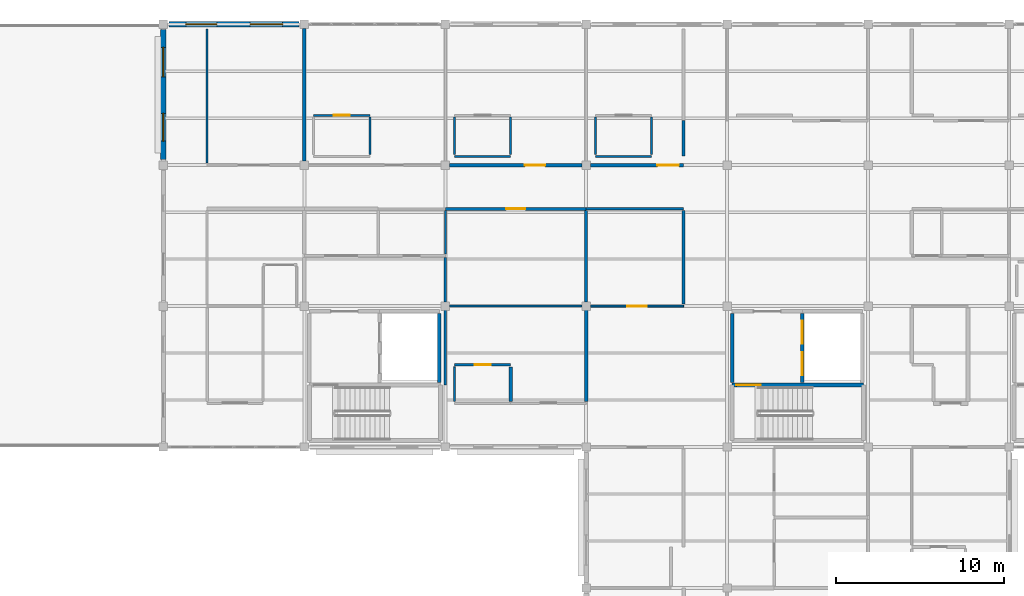
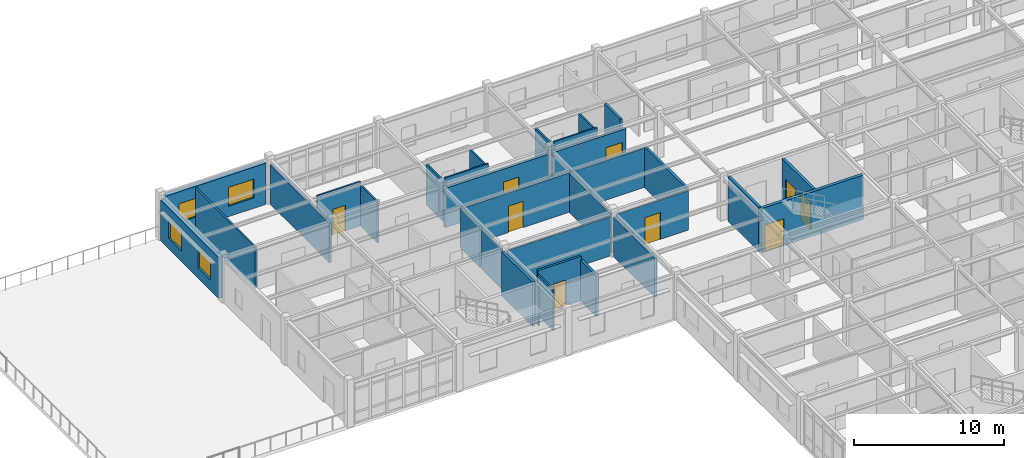
# One storey, part 41 of 53: 32 walls, 9 doors, 4 windows, 13 openings.
"""IFC4 building model written with IfcOpenShell, lengths in metres."""

from ifc_helpers import new_model, si_unit, direction, frame, frame_2d, origin, place, context, subcontext, project, spatial, rectangle, extrude, material, layer, layer_set, type_object, element, fill, save


model = new_model("IFC4")

# Units and contexts
model_context = context("Model", 3, precision=1e-05, world=origin(), true_north=direction((0.0, 1.0)))
body_context = subcontext(model_context, "Body", "Model", "MODEL_VIEW")
ifc_project = project(units=[si_unit("LENGTHUNIT", "METRE"), si_unit("AREAUNIT", "SQUARE_METRE"), si_unit("VOLUMEUNIT", "CUBIC_METRE"), si_unit("PLANEANGLEUNIT", "RADIAN"), si_unit("MASSUNIT", "GRAM", prefix="KILO")], contexts=[model_context])

# Site, building, storey
site_placement = place(None, origin())
site = spatial("IfcSite", under=ifc_project, at=site_placement, CompositionType="ELEMENT")
building_placement = place(site_placement, origin())
building = spatial("IfcBuilding", under=site, at=building_placement, Name="Bramfleet General Hospital", CompositionType="ELEMENT")
storey_placement = place(building_placement, frame((0.0, 0.0, 26.39990234375)))
storey = spatial("IfcBuildingStorey", under=building, at=storey_placement, Name="L06", CompositionType="ELEMENT", Elevation=26.39990234375)

# Wall, openings, windows
ifc_material_1 = material(Name="Precast concrete C40/50", Category="concrete")
ifc_layer_1 = layer(ifc_material_1, 0.3349609375, Name="WT-EW-03")
ifc_layer_set_1 = layer_set([ifc_layer_1], Name="Precast concrete C40/50")
wall_type_1 = type_object("IfcWallType", Name="WT-EW-03", PredefinedType="SOLIDWALL", material=ifc_layer_set_1)
wall_1_placement = place(storey_placement, frame((67.199951171875, 109.52490234375, 0.0), z_axis=(0.0, 0.0, 1.0), x_axis=(0.0, 1.0, 0.0)))
wall_1 = element("IfcWall", 1, at=wall_1_placement, inside=storey, type_object=wall_type_1, Name="L06 Exterior Wall 393", PredefinedType="SOLIDWALL", context=body_context, shape_type="SweptSolid", body=[
    extrude(rectangle(XDim=7.75, YDim=0.3349609375, at=frame_2d((3.875, 0.0))), origin(), (0.0, 0.0, 1.0), 3.340087890625),
])
opening_1_placement = place(wall_1_placement, frame((1.112548828125, 0.0, 0.85009765625)))
opening_1 = element("IfcOpeningElement", 2, at=opening_1_placement, cuts=wall_1, Name="Opening W-27", PredefinedType="OPENING", context=body_context, shape_type="SweptSolid", body=[
    extrude(rectangle(XDim=1.64990234375, YDim=1.5400390625, at=frame_2d((0.824951171875, 0.77001953125))), frame((0.0, 0.177490234375, 0.0), z_axis=(0.0, -1.0, 0.0), x_axis=(1.0, 0.0, 0.0)), (0.0, 0.0, 1.0), 0.35498046875),
])
opening_2_placement = place(wall_1_placement, frame((4.9375, 0.0, 0.85009765625)))
opening_2 = element("IfcOpeningElement", 3, at=opening_2_placement, cuts=wall_1, Name="Opening W-28", PredefinedType="OPENING", context=body_context, shape_type="SweptSolid", body=[
    extrude(rectangle(XDim=1.75, YDim=1.5400390625, at=frame_2d((0.875, 0.77001953125))), frame((0.0, 0.177490234375, 0.0), z_axis=(0.0, -1.0, 0.0), x_axis=(1.0, 0.0, 0.0)), (0.0, 0.0, 1.0), 0.35498046875),
])
ifc_material_2 = material(Name="Anodised aluminium and low-E triple glazing", Category="aluminium")
window_type_1 = type_object("IfcWindowType", Name="WIN-W-27", PartitioningType="SINGLE_PANEL", PredefinedType="WINDOW", material=ifc_material_2)
window_1_placement = place(opening_1_placement, origin())
window_1 = element("IfcWindow", 4, at=window_1_placement, inside=storey, type_object=window_type_1, Name="L06 Facade Window WIN-L06-393-1", OverallHeight=1.5400390625, OverallWidth=1.64990234375, PartitioningType="SINGLE_PANEL", PredefinedType="WINDOW", context=body_context, shape_type="SweptSolid", body=[
    extrude(rectangle(XDim=1.64990234375, YDim=1.5400390625, at=frame_2d((0.824951171875, 0.77001953125))), frame((0.0, 0.030029296875, 0.0), z_axis=(0.0, -1.0, 0.0), x_axis=(1.0, 0.0, 0.0)), (0.0, 0.0, 1.0), 0.06005859375),
])
fill(opening_1, window_1)
window_type_2 = type_object("IfcWindowType", Name="WIN-W-28", PartitioningType="SINGLE_PANEL", PredefinedType="WINDOW", material=ifc_material_2)
window_2_placement = place(opening_2_placement, origin())
window_2 = element("IfcWindow", 5, at=window_2_placement, inside=storey, type_object=window_type_2, Name="L06 Facade Window WIN-L06-393-2", OverallHeight=1.5400390625, OverallWidth=1.75, PartitioningType="SINGLE_PANEL", PredefinedType="WINDOW", context=body_context, shape_type="SweptSolid", body=[
    extrude(rectangle(XDim=1.75, YDim=1.5400390625, at=frame_2d((0.875, 0.77001953125))), frame((0.0, 0.030029296875, 0.0), z_axis=(0.0, -1.0, 0.0), x_axis=(1.0, 0.0, 0.0)), (0.0, 0.0, 1.0), 0.06005859375),
])
fill(opening_2, window_2)

ifc_layer_2 = layer(ifc_material_1, 0.31494140625, Name="WT-EW-04")
ifc_layer_set_2 = layer_set([ifc_layer_2], Name="Precast concrete C40/50")
wall_type_2 = type_object("IfcWallType", Name="WT-EW-04", PredefinedType="SOLIDWALL", material=ifc_layer_set_2)
wall_2_placement = place(storey_placement, frame((67.52490234375, 117.60009765625, 0.0), z_axis=(0.0, 0.0, 1.0), x_axis=(1.0, 0.0, 0.0)))
wall_2 = element("IfcWall", 6, at=wall_2_placement, inside=storey, type_object=wall_type_2, Name="L06 Exterior Wall 394", PredefinedType="SOLIDWALL", context=body_context, shape_type="SweptSolid", body=[
    extrude(rectangle(XDim=7.75, YDim=0.31494140625, at=frame_2d((3.875, 0.0))), origin(), (0.0, 0.0, 1.0), 3.360107421875),
])
opening_3_placement = place(wall_2_placement, frame((1.012451171875, 0.0, 0.85009765625)))
opening_3 = element("IfcOpeningElement", 7, at=opening_3_placement, cuts=wall_2, Name="Opening W-29", PredefinedType="OPENING", context=body_context, shape_type="SweptSolid", body=[
    extrude(rectangle(XDim=1.85009765625, YDim=1.5400390625, at=frame_2d((0.925048828125, 0.77001953125))), frame((0.0, 0.16748046875, 0.0), z_axis=(0.0, -1.0, 0.0), x_axis=(1.0, 0.0, 0.0)), (0.0, 0.0, 1.0), 0.3349609375),
])
opening_4_placement = place(wall_2_placement, frame((4.83740234375, 0.0, 0.85009765625)))
opening_4 = element("IfcOpeningElement", 8, at=opening_4_placement, cuts=wall_2, Name="Opening W-30", PredefinedType="OPENING", context=body_context, shape_type="SweptSolid", body=[
    extrude(rectangle(XDim=1.949951171875, YDim=1.5400390625, at=frame_2d((0.97509765625, 0.77001953125))), frame((0.0, 0.16748046875, 0.0), z_axis=(0.0, -1.0, 0.0), x_axis=(1.0, 0.0, 0.0)), (0.0, 0.0, 1.0), 0.3349609375),
])
window_type_3 = type_object("IfcWindowType", Name="WIN-W-29", PartitioningType="SINGLE_PANEL", PredefinedType="WINDOW", material=ifc_material_2)
window_3_placement = place(opening_3_placement, origin())
window_3 = element("IfcWindow", 9, at=window_3_placement, inside=storey, type_object=window_type_3, Name="L06 Facade Window WIN-L06-394-1", OverallHeight=1.5400390625, OverallWidth=1.85009765625, PartitioningType="SINGLE_PANEL", PredefinedType="WINDOW", context=body_context, shape_type="SweptSolid", body=[
    extrude(rectangle(XDim=1.85009765625, YDim=1.5400390625, at=frame_2d((0.925048828125, 0.77001953125))), frame((0.0, 0.030029296875, 0.0), z_axis=(0.0, -1.0, 0.0), x_axis=(1.0, 0.0, 0.0)), (0.0, 0.0, 1.0), 0.06005859375),
])
fill(opening_3, window_3)
window_type_4 = type_object("IfcWindowType", Name="WIN-W-30", PartitioningType="SINGLE_PANEL", PredefinedType="WINDOW", material=ifc_material_2)
window_4_placement = place(opening_4_placement, origin())
window_4 = element("IfcWindow", 10, at=window_4_placement, inside=storey, type_object=window_type_4, Name="L06 Facade Window WIN-L06-394-2", OverallHeight=1.5400390625, OverallWidth=1.949951171875, PartitioningType="SINGLE_PANEL", PredefinedType="WINDOW", context=body_context, shape_type="SweptSolid", body=[
    extrude(rectangle(XDim=1.949951171875, YDim=1.5400390625, at=frame_2d((0.97509765625, 0.77001953125))), frame((0.0, 0.030029296875, 0.0), z_axis=(0.0, -1.0, 0.0), x_axis=(1.0, 0.0, 0.0)), (0.0, 0.0, 1.0), 0.06005859375),
])
fill(opening_4, window_4)

# Wall, opening, door
ifc_material_3 = material(Name="Concrete C35/45", Category="concrete")
ifc_layer_3 = layer(ifc_material_3, 0.219970703125, Name="WT-IW-01")
ifc_layer_set_3 = layer_set([ifc_layer_3], Name="Concrete C35/45")
wall_type_3 = type_object("IfcWallType", Name="WT-IW-01", PredefinedType="PARTITIONING", material=ifc_layer_set_3)
wall_3_placement = place(storey_placement, frame((84.2451171875, 109.199951171875, 0.0), z_axis=(0.0, 0.0, 1.0), x_axis=(1.0, 0.0, 0.0)))
wall_3 = element("IfcWall", 11, at=wall_3_placement, inside=storey, type_object=wall_type_3, Name="L06 Interior Partition IW-L06-3961", PredefinedType="PARTITIONING", context=body_context, shape_type="SweptSolid", body=[
    extrude(rectangle(XDim=7.909912109375, YDim=0.219970703125, at=frame_2d((3.955078125, 0.0))), origin(), (0.0, 0.0, 1.0), 3.210205078125),
])
opening_5_placement = place(wall_3_placement, frame((4.505615234375, 0.0, 0.0)))
opening_5 = element("IfcOpeningElement", 12, at=opening_5_placement, cuts=wall_3, Name="Opening D1453", PredefinedType="OPENING", context=body_context, shape_type="SweptSolid", body=[
    extrude(rectangle(XDim=1.199951171875, YDim=2.14990234375, at=frame_2d((0.60009765625, 1.074951171875))), frame((0.0, 0.119873046875, 0.0), z_axis=(0.0, -1.0, 0.0), x_axis=(1.0, 0.0, 0.0)), (0.0, 0.0, 1.0), 0.239990234375),
])
ifc_material_4 = material(Name="Stainless steel and acoustic timber leaf", Category="steel")
door_type_1 = type_object("IfcDoorType", Name="DR-D-13", OperationType="NOTDEFINED", PredefinedType="DOOR", material=ifc_material_4)
door_1_placement = place(opening_5_placement, origin())
door_1 = element("IfcDoor", 13, at=door_1_placement, inside=storey, type_object=door_type_1, Name="Oncology and Neurology Ward Bedroom L06-1013 Door D1453", OperationType="SINGLE_SWING_RIGHT", OverallHeight=2.14990234375, OverallWidth=1.199951171875, PredefinedType="DOOR", context=body_context, shape_type="SweptSolid", body=[
    extrude(rectangle(XDim=1.199951171875, YDim=2.14990234375, at=frame_2d((0.60009765625, 1.074951171875))), frame((0.0, 0.02490234375, 0.0), z_axis=(0.0, -1.0, 0.0), x_axis=(1.0, 0.0, 0.0)), (0.0, 0.0, 1.0), 0.050048828125),
])
fill(opening_5, door_1)

# Wall
wall_4_placement = place(storey_placement, frame((87.89990234375, 95.114990234375, 0.0), z_axis=(0.0, 0.0, 1.0), x_axis=(0.0, 1.0, 0.0)))
element("IfcWall", 14, at=wall_4_placement, inside=storey, type_object=wall_type_3, Name="L06 Interior Partition IW-L06-3997", PredefinedType="PARTITIONING", context=body_context, shape_type="SweptSolid", body=[
    extrude(rectangle(XDim=2.070068359375, YDim=0.219970703125, at=frame_2d((1.03515625, 0.0))), origin(), (0.0, 0.0, 1.0), 3.340087890625),
])

# Wall, openings, doors
ifc_layer_4 = layer(ifc_material_3, 0.205078125, Name="WT-IW-02")
ifc_layer_set_4 = layer_set([ifc_layer_4], Name="Concrete C35/45")
wall_type_4 = type_object("IfcWallType", Name="WT-IW-02", PredefinedType="PARTITIONING", material=ifc_layer_set_4)
wall_5_placement = place(storey_placement, frame((105.280029296875, 96.239990234375, 0.0), z_axis=(0.0, 0.0, 1.0), x_axis=(0.0, 1.0, 0.0)))
wall_5 = element("IfcWall", 15, at=wall_5_placement, inside=storey, type_object=wall_type_4, Name="L06 C4 Lobby East Shaft Wall", PredefinedType="PARTITIONING", context=body_context, shape_type="SweptSolid", body=[
    extrude(rectangle(XDim=4.1201171875, YDim=0.205078125, at=frame_2d((2.06005859375, 0.0))), origin(), (0.0, 0.0, 1.0), 3.610107421875),
])
opening_6_placement = place(wall_5_placement, frame((0.445068359375, 0.0, 0.0)))
opening_6 = element("IfcOpeningElement", 16, at=opening_6_placement, cuts=wall_5, Name="Opening LD-FL-02-L06", PredefinedType="OPENING", context=body_context, shape_type="SweptSolid", body=[
    extrude(rectangle(XDim=1.35009765625, YDim=2.199951171875, at=frame_2d((0.675048828125, 1.10009765625))), frame((0.0, 0.112548828125, 0.0), z_axis=(0.0, -1.0, 0.0), x_axis=(1.0, 0.0, 0.0)), (0.0, 0.0, 1.0), 0.22509765625),
])
opening_7_placement = place(wall_5_placement, frame((2.324951171875, 0.0, 0.0)))
opening_7 = element("IfcOpeningElement", 17, at=opening_7_placement, cuts=wall_5, Name="Opening LD-BL-04-L06", PredefinedType="OPENING", context=body_context, shape_type="SweptSolid", body=[
    extrude(rectangle(XDim=1.35009765625, YDim=2.199951171875, at=frame_2d((0.675048828125, 1.10009765625))), frame((0.0, 0.112548828125, 0.0), z_axis=(0.0, -1.0, 0.0), x_axis=(1.0, 0.0, 0.0)), (0.0, 0.0, 1.0), 0.22509765625),
])
ifc_material_5 = material(Name="Brushed stainless steel 1.4301", Category="steel")
door_type_2 = type_object("IfcDoorType", Name="DR-LD-01", OperationType="NOTDEFINED", PredefinedType="DOOR", material=ifc_material_5)
door_2_placement = place(opening_6_placement, origin())
door_2 = element("IfcDoor", 18, at=door_2_placement, inside=storey, type_object=door_type_2, Name="L06 Lift FL-02 Sliding Landing Door", OperationType="SLIDING_TO_LEFT", OverallHeight=2.199951171875, OverallWidth=1.35009765625, PredefinedType="DOOR", context=body_context, shape_type="SweptSolid", body=[
    extrude(rectangle(XDim=1.35009765625, YDim=2.199951171875, at=frame_2d((0.675048828125, 1.10009765625))), frame((0.0, 0.02490234375, 0.0), z_axis=(0.0, -1.0, 0.0), x_axis=(1.0, 0.0, 0.0)), (0.0, 0.0, 1.0), 0.050048828125),
])
fill(opening_6, door_2)
door_3_placement = place(opening_7_placement, origin())
door_3 = element("IfcDoor", 19, at=door_3_placement, inside=storey, type_object=door_type_2, Name="L06 Lift BL-04 Sliding Landing Door", OperationType="SLIDING_TO_LEFT", OverallHeight=2.199951171875, OverallWidth=1.35009765625, PredefinedType="DOOR", context=body_context, shape_type="SweptSolid", body=[
    extrude(rectangle(XDim=1.35009765625, YDim=2.199951171875, at=frame_2d((0.675048828125, 1.10009765625))), frame((0.0, 0.02490234375, 0.0), z_axis=(0.0, -1.0, 0.0), x_axis=(1.0, 0.0, 0.0)), (0.0, 0.0, 1.0), 0.050048828125),
])
fill(opening_7, door_3)

# Walls
for number, where, z_axis, x_axis, name in (
    (20, (101.10009765625, 96.239990234375, 0.0), (0.0, 0.0, 1.0), (0.0, 1.0, 0.0), "L06 C4 Lobby West Compartment Wall"),
    (21, (83.64990234375, 96.239990234375, 0.0), (0.0, 0.0, 1.0), (0.0, 1.0, 0.0), "L06 C5 Lift Shaft East Wall"),
):
    element("IfcWall", number, at=place(storey_placement, frame(where, z_axis=z_axis, x_axis=x_axis)), inside=storey, type_object=wall_type_4, Name=name, PredefinedType="PARTITIONING", context=body_context, shape_type="SweptSolid", body=[
        extrude(rectangle(XDim=4.1201171875, YDim=0.205078125, at=frame_2d((2.06005859375, 0.0))), origin(), (0.0, 0.0, 1.0), 3.610107421875),
    ])

# Wall, opening, door
wall_6_placement = place(storey_placement, frame((92.64501953125, 109.199951171875, 0.0), z_axis=(0.0, 0.0, 1.0), x_axis=(1.0, 0.0, 0.0)))
wall_6 = element("IfcWall", 22, at=wall_6_placement, inside=storey, type_object=wall_type_4, Name="L06 Interior Partition IW-L06-3962", PredefinedType="PARTITIONING", context=body_context, shape_type="SweptSolid", body=[
    extrude(rectangle(XDim=5.554931640625, YDim=0.205078125, at=frame_2d((2.77734375, 0.0))), origin(), (0.0, 0.0, 1.0), 3.210205078125),
])
opening_8_placement = place(wall_6_placement, frame((3.997802734375, 0.0, 0.0)))
opening_8 = element("IfcOpeningElement", 23, at=opening_8_placement, cuts=wall_6, Name="Opening D1469", PredefinedType="OPENING", context=body_context, shape_type="SweptSolid", body=[
    extrude(rectangle(XDim=1.280029296875, YDim=2.179931640625, at=frame_2d((0.64013671875, 1.08984375))), frame((0.0, 0.112548828125, 0.0), z_axis=(0.0, -1.0, 0.0), x_axis=(1.0, 0.0, 0.0)), (0.0, 0.0, 1.0), 0.22509765625),
])
door_type_3 = type_object("IfcDoorType", Name="DR-D-29", OperationType="NOTDEFINED", PredefinedType="DOOR", material=ifc_material_4)
door_4_placement = place(opening_8_placement, origin())
door_4 = element("IfcDoor", 24, at=door_4_placement, inside=storey, type_object=door_type_3, Name="Oncology and Neurology Ward Bedroom L06-1113 Door D1469", OperationType="SINGLE_SWING_RIGHT", OverallHeight=2.179931640625, OverallWidth=1.280029296875, PredefinedType="DOOR", context=body_context, shape_type="SweptSolid", body=[
    extrude(rectangle(XDim=1.280029296875, YDim=2.179931640625, at=frame_2d((0.64013671875, 1.08984375))), frame((0.0, 0.02490234375, 0.0), z_axis=(0.0, -1.0, 0.0), x_axis=(1.0, 0.0, 0.0)), (0.0, 0.0, 1.0), 0.050048828125),
])
fill(opening_8, door_4)

# Walls
ifc_layer_5 = layer(ifc_material_3, 0.18994140625, Name="WT-IW-03")
ifc_layer_set_5 = layer_set([ifc_layer_5], Name="Concrete C35/45")
wall_type_5 = type_object("IfcWallType", Name="WT-IW-03", PredefinedType="PARTITIONING", material=ifc_layer_set_5)
wall_7_placement = place(storey_placement, frame((75.60009765625, 109.445068359375, 0.0), z_axis=(0.0, 0.0, 1.0), x_axis=(0.0, 1.0, 0.0)))
element("IfcWall", 25, at=wall_7_placement, inside=storey, type_object=wall_type_5, Name="L06 Interior Partition IW-L06-3987", PredefinedType="PARTITIONING", context=body_context, shape_type="SweptSolid", body=[
    extrude(rectangle(XDim=7.909912109375, YDim=0.18994140625, at=frame_2d((3.955078125, 0.0))), origin(), (0.0, 0.0, 1.0), 3.210205078125),
])
wall_8_placement = place(storey_placement, frame((92.39990234375, 95.114990234375, 0.0), z_axis=(0.0, 0.0, 1.0), x_axis=(0.0, 1.0, 0.0)))
element("IfcWall", 26, at=wall_8_placement, inside=storey, type_object=wall_type_5, Name="L06 Interior Partition IW-L06-3999", PredefinedType="PARTITIONING", context=body_context, shape_type="SweptSolid", body=[
    extrude(rectangle(XDim=5.43994140625, YDim=0.18994140625, at=frame_2d((2.719970703125, 0.0))), origin(), (0.0, 0.0, 1.0), 3.210205078125),
])

# Wall, opening, door
ifc_layer_6 = layer(ifc_material_3, 0.179931640625, Name="WT-IW-04")
ifc_layer_set_6 = layer_set([ifc_layer_6], Name="Concrete C35/45")
wall_type_6 = type_object("IfcWallType", Name="WT-IW-04", PredefinedType="PARTITIONING", material=ifc_layer_set_6)
wall_9_placement = place(storey_placement, frame((84.0, 106.60009765625, 0.0), z_axis=(0.0, 0.0, 1.0), x_axis=(1.0, 0.0, 0.0)))
wall_9 = element("IfcWall", 27, at=wall_9_placement, inside=storey, type_object=wall_type_6, Name="L06 Interior Partition IW-L06-3952", PredefinedType="PARTITIONING", context=body_context, shape_type="SweptSolid", body=[
    extrude(rectangle(XDim=8.39990234375, YDim=0.179931640625, at=frame_2d((4.199951171875, 0.0))), origin(), (0.0, 0.0, 1.0), 3.210205078125),
])
opening_9_placement = place(wall_9_placement, frame((3.625, 0.0, 0.0)))
opening_9 = element("IfcOpeningElement", 28, at=opening_9_placement, cuts=wall_9, Name="Opening D1452", PredefinedType="OPENING", context=body_context, shape_type="SweptSolid", body=[
    extrude(rectangle(XDim=1.14990234375, YDim=2.14990234375, at=frame_2d((0.574951171875, 1.074951171875))), frame((0.0, 0.099853515625, 0.0), z_axis=(0.0, -1.0, 0.0), x_axis=(1.0, 0.0, 0.0)), (0.0, 0.0, 1.0), 0.199951171875),
])
door_type_4 = type_object("IfcDoorType", Name="DR-D-12", OperationType="NOTDEFINED", PredefinedType="DOOR", material=ifc_material_4)
door_5_placement = place(opening_9_placement, origin())
door_5 = element("IfcDoor", 29, at=door_5_placement, inside=storey, type_object=door_type_4, Name="Patient Dayroom and Garden Lounge L06-1012 Door D1452", OperationType="SINGLE_SWING_LEFT", OverallHeight=2.14990234375, OverallWidth=1.14990234375, PredefinedType="DOOR", context=body_context, shape_type="SweptSolid", body=[
    extrude(rectangle(XDim=1.14990234375, YDim=2.14990234375, at=frame_2d((0.574951171875, 1.074951171875))), frame((0.0, 0.02490234375, 0.0), z_axis=(0.0, -1.0, 0.0), x_axis=(1.0, 0.0, 0.0)), (0.0, 0.0, 1.0), 0.050048828125),
])
fill(opening_9, door_5)

# Walls
wall_10_placement = place(storey_placement, frame((92.39990234375, 101.044921875, 0.0), z_axis=(0.0, 0.0, 1.0), x_axis=(0.0, 1.0, 0.0)))
element("IfcWall", 30, at=wall_10_placement, inside=storey, type_object=wall_type_6, Name="L06 Interior Partition IW-L06-4000", PredefinedType="PARTITIONING", context=body_context, shape_type="SweptSolid", body=[
    extrude(rectangle(XDim=5.440185546875, YDim=0.179931640625, at=frame_2d((2.72021484375, 0.0))), origin(), (0.0, 0.0, 1.0), 3.210205078125),
])
wall_11_placement = place(storey_placement, frame((98.199951171875, 100.9150390625, 0.0), z_axis=(0.0, 0.0, 1.0), x_axis=(0.0, 1.0, 0.0)))
element("IfcWall", 31, at=wall_11_placement, inside=storey, type_object=wall_type_6, Name="L06 Interior Partition IW-L06-4024", PredefinedType="PARTITIONING", context=body_context, shape_type="SweptSolid", body=[
    extrude(rectangle(XDim=5.570068359375, YDim=0.179931640625, at=frame_2d((2.78515625, 0.0))), origin(), (0.0, 0.0, 1.0), 3.340087890625),
])

# Wall, opening, door
ifc_material_6 = material(Name="Gypsum plasterboard on acoustic steel studs", Category="steel")
ifc_layer_7 = layer(ifc_material_6, 0.169921875, Name="WT-IW-05")
ifc_layer_set_7 = layer_set([ifc_layer_7], Name="Gypsum plasterboard on acoustic steel studs")
wall_type_7 = type_object("IfcWallType", Name="WT-IW-05", PredefinedType="PARTITIONING", material=ifc_layer_set_7)
wall_12_placement = place(storey_placement, frame((84.550048828125, 97.300048828125, 0.0), z_axis=(0.0, 0.0, 1.0), x_axis=(1.0, 0.0, 0.0)))
wall_12 = element("IfcWall", 32, at=wall_12_placement, inside=storey, type_object=wall_type_7, Name="L06 Interior Partition IW-L06-3929", PredefinedType="PARTITIONING", context=body_context, shape_type="SweptSolid", body=[
    extrude(rectangle(XDim=3.349853515625, YDim=0.169921875, at=frame_2d((1.6748046875, 0.0))), origin(), (0.0, 0.0, 1.0), 3.610107421875),
])
opening_10_placement = place(wall_12_placement, frame((1.199951171875, 0.0, 0.0)))
opening_10 = element("IfcOpeningElement", 33, at=opening_10_placement, cuts=wall_12, Name="Opening D1451", PredefinedType="OPENING", context=body_context, shape_type="SweptSolid", body=[
    extrude(rectangle(XDim=0.949951171875, YDim=2.10009765625, at=frame_2d((0.47509765625, 1.050048828125))), frame((0.0, 0.094970703125, 0.0), z_axis=(0.0, -1.0, 0.0), x_axis=(1.0, 0.0, 0.0)), (0.0, 0.0, 1.0), 0.18994140625),
])
door_type_5 = type_object("IfcDoorType", Name="DR-D-10", OperationType="NOTDEFINED", PredefinedType="DOOR", material=ifc_material_4)
door_6_placement = place(opening_10_placement, origin())
door_6 = element("IfcDoor", 34, at=door_6_placement, inside=storey, type_object=door_type_5, Name="En-Suite Bathroom L06-1011 Door D1451", OperationType="SINGLE_SWING_LEFT", OverallHeight=2.10009765625, OverallWidth=0.949951171875, PredefinedType="DOOR", context=body_context, shape_type="SweptSolid", body=[
    extrude(rectangle(XDim=0.949951171875, YDim=2.10009765625, at=frame_2d((0.47509765625, 1.050048828125))), frame((0.0, 0.02490234375, 0.0), z_axis=(0.0, -1.0, 0.0), x_axis=(1.0, 0.0, 0.0)), (0.0, 0.0, 1.0), 0.050048828125),
])
fill(opening_10, door_6)

# Walls
wall_13_placement = place(storey_placement, frame((92.39990234375, 106.60009765625, 0.0), z_axis=(0.0, 0.0, 1.0), x_axis=(1.0, 0.0, 0.0)))
element("IfcWall", 35, at=wall_13_placement, inside=storey, type_object=wall_type_7, Name="L06 Interior Partition IW-L06-3953", PredefinedType="PARTITIONING", context=body_context, shape_type="SweptSolid", body=[
    extrude(rectangle(XDim=5.800048828125, YDim=0.169921875, at=frame_2d((2.89990234375, 0.0))), origin(), (0.0, 0.0, 1.0), 3.210205078125),
])
wall_14_placement = place(storey_placement, frame((98.199951171875, 109.75, 0.0), z_axis=(0.0, 0.0, 1.0), x_axis=(0.0, 1.0, 0.0)))
element("IfcWall", 36, at=wall_14_placement, inside=storey, type_object=wall_type_7, Name="L06 Interior Partition IW-L06-4025", PredefinedType="PARTITIONING", context=body_context, shape_type="SweptSolid", body=[
    extrude(rectangle(XDim=2.10009765625, YDim=0.169921875, at=frame_2d((1.050048828125, 0.0))), origin(), (0.0, 0.0, 1.0), 3.610107421875),
])
ifc_layer_8 = layer(ifc_material_6, 0.14990234375, Name="WT-IW-07")
ifc_layer_set_8 = layer_set([ifc_layer_8], Name="Gypsum plasterboard on acoustic steel studs")
wall_type_8 = type_object("IfcWallType", Name="WT-IW-07", PredefinedType="PARTITIONING", material=ifc_layer_set_8)
wall_15_placement = place(storey_placement, frame((84.0, 96.10009765625, 0.0), z_axis=(0.0, 0.0, 1.0), x_axis=(0.0, 1.0, 0.0)))
element("IfcWall", 37, at=wall_15_placement, inside=storey, type_object=wall_type_8, Name="L06 Interior Partition IW-L06-3991", PredefinedType="PARTITIONING", context=body_context, shape_type="SweptSolid", body=[
    extrude(rectangle(XDim=4.454833984375, YDim=0.14990234375, at=frame_2d((2.2275390625, 0.0))), origin(), (0.0, 0.0, 1.0), 3.210205078125),
])
ifc_layer_9 = layer(ifc_material_6, 0.139892578125, Name="WT-IW-08")
ifc_layer_set_9 = layer_set([ifc_layer_9], Name="Gypsum plasterboard on acoustic steel studs")
wall_type_9 = type_object("IfcWallType", Name="WT-IW-08", PredefinedType="PARTITIONING", material=ifc_layer_set_9)
wall_16_placement = place(storey_placement, frame((84.0, 101.044921875, 0.0), z_axis=(0.0, 0.0, 1.0), x_axis=(0.0, 1.0, 0.0)))
element("IfcWall", 38, at=wall_16_placement, inside=storey, type_object=wall_type_9, Name="L06 Interior Partition IW-L06-3992", PredefinedType="PARTITIONING", context=body_context, shape_type="SweptSolid", body=[
    extrude(rectangle(XDim=2.64013671875, YDim=0.139892578125, at=frame_2d((1.320068359375, 0.0))), origin(), (0.0, 0.0, 1.0), 3.210205078125),
])
ifc_layer_10 = layer(ifc_material_6, 0.1298828125, Name="WT-IW-09")
ifc_layer_set_10 = layer_set([ifc_layer_10], Name="Gypsum plasterboard on acoustic steel studs")
wall_type_10 = type_object("IfcWallType", Name="WT-IW-09", PredefinedType="PARTITIONING", material=ifc_layer_set_10)
wall_17_placement = place(storey_placement, frame((69.800048828125, 109.31494140625, 0.0), z_axis=(0.0, 0.0, 1.0), x_axis=(0.0, 1.0, 0.0)))
element("IfcWall", 39, at=wall_17_placement, inside=storey, type_object=wall_type_10, Name="L06 Interior Partition IW-L06-3981", PredefinedType="PARTITIONING", context=body_context, shape_type="SweptSolid", body=[
    extrude(rectangle(XDim=8.005126953125, YDim=0.1298828125, at=frame_2d((4.00244140625, 0.0))), origin(), (0.0, 0.0, 1.0), 3.340087890625),
])
ifc_layer_11 = layer(ifc_material_6, 0.1201171875, Name="WT-IW-10")
ifc_layer_set_11 = layer_set([ifc_layer_11], Name="Gypsum plasterboard on acoustic steel studs")
wall_type_11 = type_object("IfcWallType", Name="WT-IW-10", PredefinedType="PARTITIONING", material=ifc_layer_set_11)
wall_18_placement = place(storey_placement, frame((84.2451171875, 100.800048828125, 0.0), z_axis=(0.0, 0.0, 1.0), x_axis=(1.0, 0.0, 0.0)))
element("IfcWall", 40, at=wall_18_placement, inside=storey, type_object=wall_type_11, Name="L06 Interior Partition IW-L06-3934", PredefinedType="PARTITIONING", context=body_context, shape_type="SweptSolid", body=[
    extrude(rectangle(XDim=7.909912109375, YDim=0.1201171875, at=frame_2d((3.955078125, 0.0))), origin(), (0.0, 0.0, 1.0), 3.210205078125),
])
wall_19_placement = place(storey_placement, frame((84.550048828125, 109.719970703125, 0.0), z_axis=(0.0, 0.0, 1.0), x_axis=(1.0, 0.0, 0.0)))
element("IfcWall", 41, at=wall_19_placement, inside=storey, type_object=wall_type_11, Name="L06 Interior Partition IW-L06-3964", PredefinedType="PARTITIONING", context=body_context, shape_type="SweptSolid", body=[
    extrude(rectangle(XDim=3.349853515625, YDim=0.1201171875, at=frame_2d((1.6748046875, 0.0))), origin(), (0.0, 0.0, 1.0), 3.610107421875),
])
wall_20_placement = place(storey_placement, frame((92.949951171875, 109.719970703125, 0.0), z_axis=(0.0, 0.0, 1.0), x_axis=(1.0, 0.0, 0.0)))
element("IfcWall", 42, at=wall_20_placement, inside=storey, type_object=wall_type_11, Name="L06 Interior Partition IW-L06-3965", PredefinedType="PARTITIONING", context=body_context, shape_type="SweptSolid", body=[
    extrude(rectangle(XDim=3.35009765625, YDim=0.1201171875, at=frame_2d((1.675048828125, 0.0))), origin(), (0.0, 0.0, 1.0), 3.610107421875),
])

# Wall, opening, door
wall_21_placement = place(storey_placement, frame((76.14990234375, 112.169921875, 0.0), z_axis=(0.0, 0.0, 1.0), x_axis=(1.0, 0.0, 0.0)))
wall_21 = element("IfcWall", 43, at=wall_21_placement, inside=storey, type_object=wall_type_11, Name="L06 Interior Partition IW-L06-3973", PredefinedType="PARTITIONING", context=body_context, shape_type="SweptSolid", body=[
    extrude(rectangle(XDim=3.35009765625, YDim=0.1201171875, at=frame_2d((1.675048828125, 0.0))), origin(), (0.0, 0.0, 1.0), 3.610107421875),
])
opening_11_placement = place(wall_21_placement, frame((1.199951171875, 0.0, 0.0)))
opening_11 = element("IfcOpeningElement", 44, at=opening_11_placement, cuts=wall_21, Name="Opening D1449", PredefinedType="OPENING", context=body_context, shape_type="SweptSolid", body=[
    extrude(rectangle(XDim=0.949951171875, YDim=2.10009765625, at=frame_2d((0.47509765625, 1.050048828125))), frame((0.0, 0.070068359375, 0.0), z_axis=(0.0, -1.0, 0.0), x_axis=(1.0, 0.0, 0.0)), (0.0, 0.0, 1.0), 0.14013671875),
])
door_7_placement = place(opening_11_placement, origin())
door_7 = element("IfcDoor", 45, at=door_7_placement, inside=storey, type_object=door_type_5, Name="En-Suite Bathroom L06-0913 Door D1449", OperationType="SINGLE_SWING_LEFT", OverallHeight=2.10009765625, OverallWidth=0.949951171875, PredefinedType="DOOR", context=body_context, shape_type="SweptSolid", body=[
    extrude(rectangle(XDim=0.949951171875, YDim=2.10009765625, at=frame_2d((0.47509765625, 1.050048828125))), frame((0.0, 0.02490234375, 0.0), z_axis=(0.0, -1.0, 0.0), x_axis=(1.0, 0.0, 0.0)), (0.0, 0.0, 1.0), 0.050048828125),
])
fill(opening_11, door_7)

# Walls
wall_22_placement = place(storey_placement, frame((79.5, 109.8349609375, 0.0), z_axis=(0.0, 0.0, 1.0), x_axis=(0.0, 1.0, 0.0)))
element("IfcWall", 46, at=wall_22_placement, inside=storey, type_object=wall_type_11, Name="L06 Interior Partition IW-L06-3989", PredefinedType="PARTITIONING", context=body_context, shape_type="SweptSolid", body=[
    extrude(rectangle(XDim=2.219970703125, YDim=0.1201171875, at=frame_2d((1.10986328125, 0.0))), origin(), (0.0, 0.0, 1.0), 3.340087890625),
])
wall_23_placement = place(storey_placement, frame((84.0, 103.9150390625, 0.0), z_axis=(0.0, 0.0, 1.0), x_axis=(0.0, 1.0, 0.0)))
element("IfcWall", 47, at=wall_23_placement, inside=storey, type_object=wall_type_11, Name="L06 Interior Partition IW-L06-3993", PredefinedType="PARTITIONING", context=body_context, shape_type="SweptSolid", body=[
    extrude(rectangle(XDim=2.570068359375, YDim=0.1201171875, at=frame_2d((1.28515625, 0.0))), origin(), (0.0, 0.0, 1.0), 3.210205078125),
])
for number, where, z_axis, x_axis, name in (
    (48, (84.550048828125, 109.8349609375, 0.0), (0.0, 0.0, 1.0), (0.0, 1.0, 0.0), "L06 Interior Partition IW-L06-3996"),
    (49, (87.89990234375, 109.8349609375, 0.0), (0.0, 0.0, 1.0), (0.0, 1.0, 0.0), "L06 Interior Partition IW-L06-3998"),
    (50, (92.949951171875, 109.8349609375, 0.0), (0.0, 0.0, 1.0), (0.0, 1.0, 0.0), "L06 Interior Partition IW-L06-4004"),
    (51, (96.300048828125, 109.8349609375, 0.0), (0.0, 0.0, 1.0), (0.0, 1.0, 0.0), "L06 Interior Partition IW-L06-4007"),
):
    element("IfcWall", number, at=place(storey_placement, frame(where, z_axis=z_axis, x_axis=x_axis)), inside=storey, type_object=wall_type_11, Name=name, PredefinedType="PARTITIONING", context=body_context, shape_type="SweptSolid", body=[
        extrude(rectangle(XDim=2.219970703125, YDim=0.1201171875, at=frame_2d((1.10986328125, 0.0))), origin(), (0.0, 0.0, 1.0), 3.340087890625),
    ])

# Wall, opening, door
ifc_layer_12 = layer(ifc_material_6, 0.112060546875, Name="WT-IW-11")
ifc_layer_set_12 = layer_set([ifc_layer_12], Name="Gypsum plasterboard on acoustic steel studs")
wall_type_12 = type_object("IfcWallType", Name="WT-IW-11", PredefinedType="PARTITIONING", material=ifc_layer_set_12)
wall_24_placement = place(storey_placement, frame((92.64501953125, 100.800048828125, 0.0), z_axis=(0.0, 0.0, 1.0), x_axis=(1.0, 0.0, 0.0)))
wall_24 = element("IfcWall", 52, at=wall_24_placement, inside=storey, type_object=wall_type_12, Name="L06 Interior Partition IW-L06-3935", PredefinedType="PARTITIONING", context=body_context, shape_type="SweptSolid", body=[
    extrude(rectangle(XDim=5.554931640625, YDim=0.112060546875, at=frame_2d((2.77734375, 0.0))), origin(), (0.0, 0.0, 1.0), 3.210205078125),
])
opening_12_placement = place(wall_24_placement, frame((2.1875, 0.0, 0.0)))
opening_12 = element("IfcOpeningElement", 53, at=opening_12_placement, cuts=wall_24, Name="Opening D1468", PredefinedType="OPENING", context=body_context, shape_type="SweptSolid", body=[
    extrude(rectangle(XDim=1.179931640625, YDim=2.179931640625, at=frame_2d((0.58984375, 1.08984375))), frame((0.0, 0.06591796875, 0.0), z_axis=(0.0, -1.0, 0.0), x_axis=(1.0, 0.0, 0.0)), (0.0, 0.0, 1.0), 0.132080078125),
])
door_type_6 = type_object("IfcDoorType", Name="DR-D-28", OperationType="NOTDEFINED", PredefinedType="DOOR", material=ifc_material_4)
door_8_placement = place(opening_12_placement, origin())
door_8 = element("IfcDoor", 54, at=door_8_placement, inside=storey, type_object=door_type_6, Name="Ward Linen and Clean Utility L06-1112 Door D1468", OperationType="SINGLE_SWING_LEFT", OverallHeight=2.179931640625, OverallWidth=1.179931640625, PredefinedType="DOOR", context=body_context, shape_type="SweptSolid", body=[
    extrude(rectangle(XDim=1.179931640625, YDim=2.179931640625, at=frame_2d((0.58984375, 1.08984375))), frame((0.0, 0.02490234375, 0.0), z_axis=(0.0, -1.0, 0.0), x_axis=(1.0, 0.0, 0.0)), (0.0, 0.0, 1.0), 0.050048828125),
])
fill(opening_12, door_8)

# Wall
wall_25_placement = place(storey_placement, frame((84.550048828125, 95.114990234375, 0.0), z_axis=(0.0, 0.0, 1.0), x_axis=(0.0, 1.0, 0.0)))
element("IfcWall", 55, at=wall_25_placement, inside=storey, type_object=wall_type_12, Name="L06 Interior Partition IW-L06-3995", PredefinedType="PARTITIONING", context=body_context, shape_type="SweptSolid", body=[
    extrude(rectangle(XDim=2.070068359375, YDim=0.112060546875, at=frame_2d((1.03515625, 0.0))), origin(), (0.0, 0.0, 1.0), 3.340087890625),
])

# Wall, opening, door
ifc_material_7 = material(Name="Concrete C40/50", Category="concrete")
ifc_layer_13 = layer(ifc_material_7, 0.239990234375, Name="WT-SW-240")
ifc_layer_set_13 = layer_set([ifc_layer_13], Name="Concrete C40/50")
wall_type_13 = type_object("IfcWallType", Name="WT-SW-240", PredefinedType="SHEAR", material=ifc_layer_set_13)
wall_26_placement = place(storey_placement, frame((101.10009765625, 96.10009765625, 0.0), z_axis=(0.0, 0.0, 1.0), x_axis=(1.0, 0.0, 0.0)))
wall_26 = element("IfcWall", 56, at=wall_26_placement, inside=storey, type_object=wall_type_13, Name="L06 C4 Stair-Lobby Shear Wall", PredefinedType="SHEAR", context=body_context, shape_type="SweptSolid", body=[
    extrude(rectangle(XDim=7.81982421875, YDim=0.239990234375, at=frame_2d((3.909912109375, 0.0))), origin(), (0.0, 0.0, 1.0), 3.6201171875),
])
opening_13_placement = place(wall_26_placement, frame((0.25, 0.0, 0.0)))
opening_13 = element("IfcOpeningElement", 57, at=opening_13_placement, cuts=wall_26, Name="Opening D0051", PredefinedType="OPENING", context=body_context, shape_type="SweptSolid", body=[
    extrude(rectangle(XDim=1.449951171875, YDim=2.199951171875, at=frame_2d((0.72509765625, 1.10009765625))), frame((0.0, 0.1298828125, 0.0), z_axis=(0.0, -1.0, 0.0), x_axis=(1.0, 0.0, 0.0)), (0.0, 0.0, 1.0), 0.260009765625),
])
door_type_7 = type_object("IfcDoorType", Name="DR-D-03", OperationType="NOTDEFINED", PredefinedType="DOOR", material=ifc_material_4)
door_9_placement = place(opening_13_placement, origin())
door_9 = element("IfcDoor", 58, at=door_9_placement, inside=storey, type_object=door_type_7, Name="L06 C4 Escape Stair Fire Door D0051", OperationType="SINGLE_SWING_RIGHT", OverallHeight=2.199951171875, OverallWidth=1.449951171875, PredefinedType="DOOR", context=body_context, shape_type="SweptSolid", body=[
    extrude(rectangle(XDim=1.449951171875, YDim=2.199951171875, at=frame_2d((0.72509765625, 1.10009765625))), frame((0.0, 0.02490234375, 0.0), z_axis=(0.0, -1.0, 0.0), x_axis=(1.0, 0.0, 0.0)), (0.0, 0.0, 1.0), 0.050048828125),
])
fill(opening_13, door_9)

save(model, "model.ifc")
